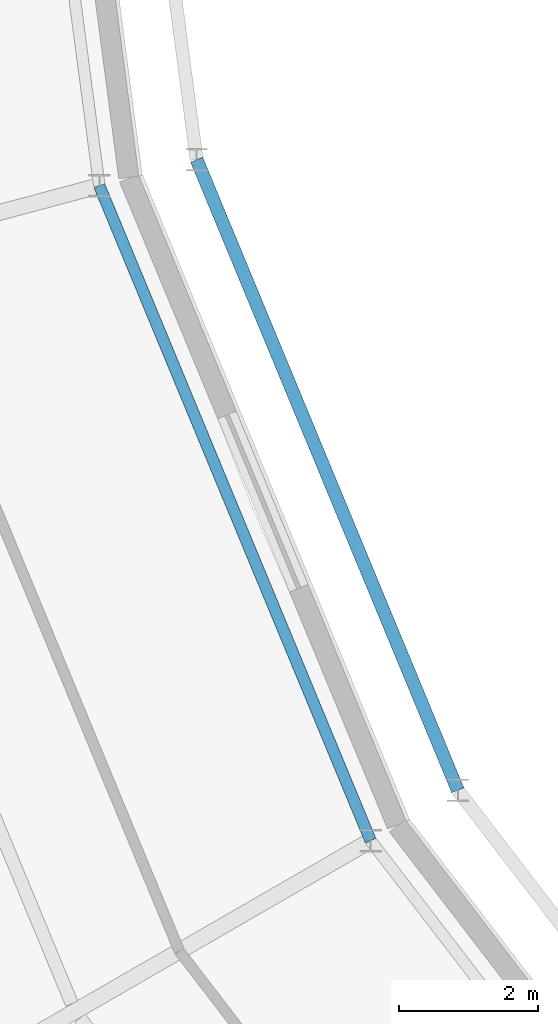
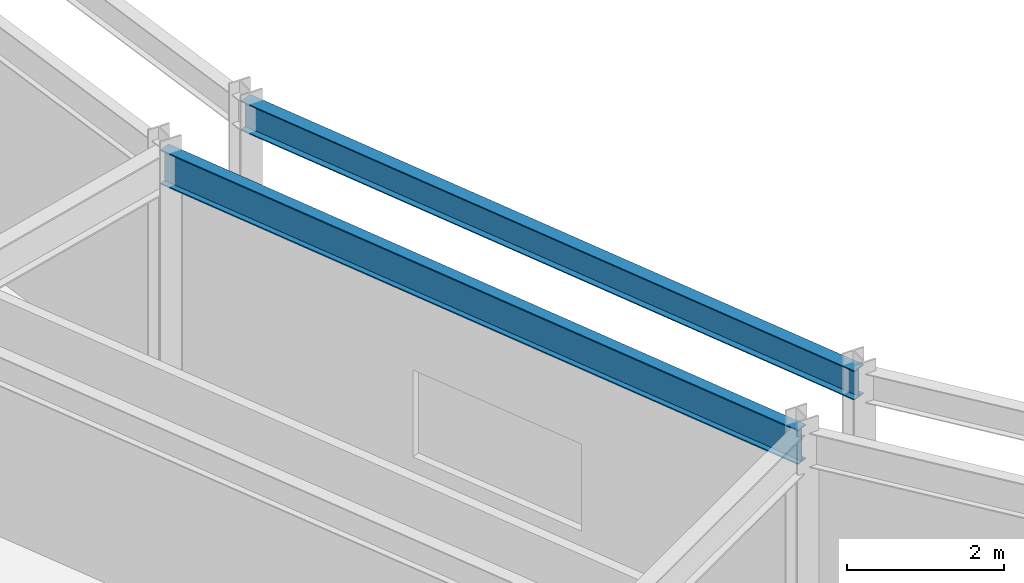
# One storey, part 29 of 133: 2 beams.
"""IFC4 building model written with IfcOpenShell, lengths in metres."""

from ifc_helpers import new_model, si_unit, direction, frame, origin, origin_2d, place, context, subcontext, project, spatial, i_section, extrude, material, material_profile, profile_set, type_object, element, save


model = new_model("IFC4")

# Units and contexts
model_context = context("Model", 3, precision=1e-05, world=origin(), true_north=direction((0.0, 1.0)))
body_context = subcontext(model_context, "Body", "Model", "MODEL_VIEW")
ifc_project = project(units=[si_unit("LENGTHUNIT", "METRE"), si_unit("AREAUNIT", "SQUARE_METRE"), si_unit("VOLUMEUNIT", "CUBIC_METRE"), si_unit("PLANEANGLEUNIT", "RADIAN"), si_unit("MASSUNIT", "GRAM", prefix="KILO")], contexts=[model_context])

# Site, building, storey
site_placement = place(None, origin())
site = spatial("IfcSite", under=ifc_project, at=site_placement, CompositionType="ELEMENT")
building_placement = place(site_placement, origin())
building = spatial("IfcBuilding", under=site, at=building_placement, Name="Almandine Court Research Institute", CompositionType="ELEMENT")
storey_placement = place(building_placement, frame((0.0, 0.0, 9.800048828125)))
storey = spatial("IfcBuildingStorey", under=building, at=storey_placement, Name="L02", CompositionType="ELEMENT", Elevation=9.800048828125)

# Beams
ifc_material = material(Name="Steel ASTM A992 Grade 50", Category="steel")
ifc_material_profile_1 = material_profile(ifc_material, i_section(OverallWidth=0.18994140625, OverallDepth=0.45703125, WebThickness=0.009033203125, FlangeThickness=0.014892578125, at=origin_2d()), Name="W460x74")
ifc_profile_set_1 = profile_set([ifc_material_profile_1], Name="Steel ASTM A992 Grade 50")
beam_type_1 = type_object("IfcBeamType", Name="Beam-B-01", PredefinedType="BEAM", material=ifc_profile_set_1)
beam_1_placement = place(storey_placement, frame((50.633056640625, 46.2548828125, 4.140869140625), z_axis=(0.382683080424, -0.92387967829, 0.0), x_axis=(0.92387967829, 0.382683080424, 0.0)))
element("IfcBeam", 1, at=beam_1_placement, inside=storey, type_object=beam_type_1, Name="L02 Atrium Outer Ring Beam", PredefinedType="BEAM", context=body_context, shape_type="SweptSolid", body=[
    extrude(i_section(OverallWidth=0.18994140625, OverallDepth=0.45703125, WebThickness=0.009033203125, FlangeThickness=0.014892578125, at=origin_2d()), origin(), (0.0, 0.0, 1.0), 9.827880859375),
])
ifc_material_profile_2 = material_profile(ifc_material, i_section(OverallWidth=0.166015625, OverallDepth=0.534912109375, WebThickness=0.010009765625, FlangeThickness=0.01708984375, at=origin_2d()), Name="W530x85")
ifc_profile_set_2 = profile_set([ifc_material_profile_2], Name="Steel ASTM A992 Grade 50")
beam_type_2 = type_object("IfcBeamType", Name="Beam-G-05-E", PredefinedType="SPANDREL", material=ifc_profile_set_2)
beam_2_placement = place(storey_placement, frame((49.23193359375, 45.8798828125, 4.054931640625), z_axis=(0.382683455912, -0.923879522758, 0.0), x_axis=(0.923879522758, 0.382683455912, 0.0)))
element("IfcBeam", 2, at=beam_2_placement, inside=storey, type_object=beam_type_2, Name="L02 Drum IN Ring Beam 13", PredefinedType="SPANDREL", context=body_context, shape_type="SweptSolid", body=[
    extrude(i_section(OverallWidth=0.166015625, OverallDepth=0.534912109375, WebThickness=0.010009765625, FlangeThickness=0.01708984375, at=origin_2d()), origin(), (0.0, 0.0, 1.0), 10.206787109375),
])

save(model, "model.ifc")
